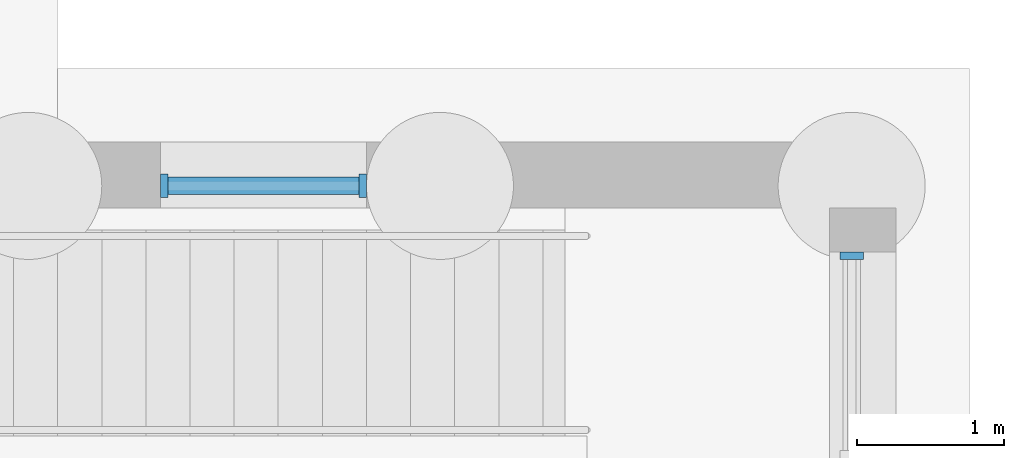
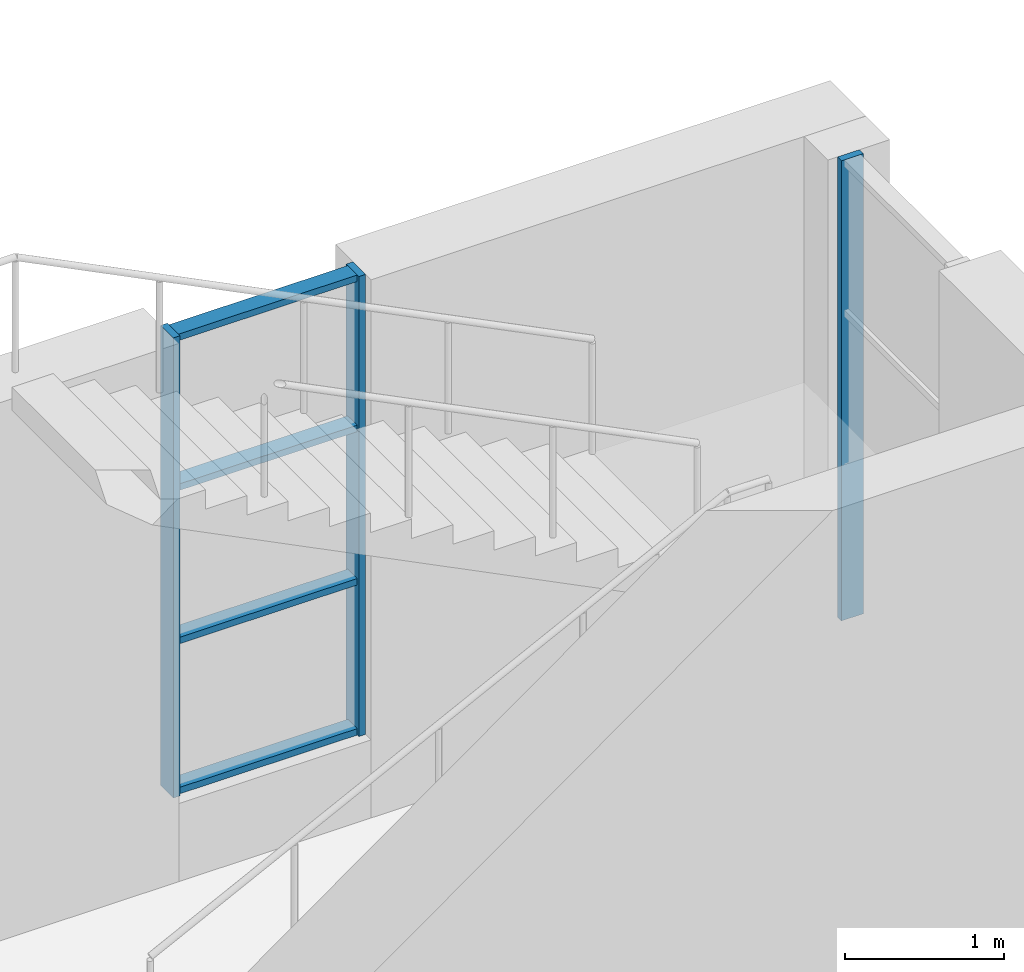
# One storey, part 59 of 138: 7 members, 2 elements without a shape of their own.
"""IFC4 building model written with IfcOpenShell, lengths in metres."""

from ifc_helpers import new_model, si_unit, direction, frame, origin, origin_2d, place, context, subcontext, project, spatial, rectangle, extrude, material, material_profile, profile_set, type_object, element, aggregate, save


model = new_model("IFC4")

# Units and contexts
model_context = context("Model", 3, precision=1e-05, world=origin(), true_north=direction((0.0, 1.0)))
body_context = subcontext(model_context, "Body", "Model", "MODEL_VIEW")
ifc_project = project(units=[si_unit("LENGTHUNIT", "METRE"), si_unit("AREAUNIT", "SQUARE_METRE"), si_unit("VOLUMEUNIT", "CUBIC_METRE"), si_unit("PLANEANGLEUNIT", "RADIAN"), si_unit("MASSUNIT", "GRAM", prefix="KILO")], contexts=[model_context])

# Site, building, storey
site_placement = place(None, origin())
site = spatial("IfcSite", under=ifc_project, at=site_placement, CompositionType="ELEMENT")
building_placement = place(site_placement, origin())
building = spatial("IfcBuilding", under=site, at=building_placement, Name="Yavir Park General Hospital", CompositionType="ELEMENT")
storey_placement = place(building_placement, origin())
storey = spatial("IfcBuildingStorey", under=building, at=storey_placement, Name="L00", CompositionType="ELEMENT", Elevation=0.0)

# Curtain wall, members
ifc_material_1 = material(Name="Aluminium curtain wall frame with insulated glazing", Category="aluminium")
curtain_wall_type = type_object("IfcCurtainWallType", Name="Stair light slot, ground floor, 3540 high, 1400 module", PredefinedType="NOTDEFINED", material=ifc_material_1)
curtain_wall_1_placement = place(storey_placement, origin())
curtain_wall_1 = element("IfcCurtainWall", 1, at=curtain_wall_1_placement, inside=storey, type_object=curtain_wall_type, Name="CW19 L00-034", PredefinedType="NOTDEFINED")
ifc_material_2 = material(Name="Aluminium", Category="aluminium")
ifc_material_profile_1 = material_profile(ifc_material_2, rectangle(XDim=0.159912109375, YDim=0.050048828125, at=origin_2d()), Name="AL 50x160")
ifc_profile_set_1 = profile_set([ifc_material_profile_1], Name="Aluminium")
member_type_1 = type_object("IfcMemberType", Name="Stair light slot, ground floor, 3540 high mullion 50 x 160", PredefinedType="MULLION", material=ifc_profile_set_1)
member_1_placement = place(storey_placement, frame((62.52490234375, 75.60009765625, 0.60009765625), z_axis=(0.0, 0.0, 1.0), x_axis=(0.0, 1.0, 0.0)))
member_1 = element("IfcMember", 2, at=member_1_placement, type_object=member_type_1, Name="CW19 mullion 1", PredefinedType="MULLION", context=body_context, shape_type="SweptSolid", body=[
    extrude(rectangle(XDim=0.159912109375, YDim=0.050048828125, at=origin_2d()), origin(), (0.0, 0.0, 1.0), 3.539794921875),
])
member_2_placement = place(storey_placement, frame((63.875, 75.60009765625, 0.60009765625), z_axis=(0.0, 0.0, 1.0), x_axis=(0.0, 1.0, 0.0)))
member_2 = element("IfcMember", 3, at=member_2_placement, type_object=member_type_1, Name="CW19 mullion 2", PredefinedType="MULLION", context=body_context, shape_type="SweptSolid", body=[
    extrude(rectangle(XDim=0.159912109375, YDim=0.050048828125, at=origin_2d()), origin(), (0.0, 0.0, 1.0), 3.539794921875),
])

# Curtain wall, member
curtain_wall_2_placement = place(storey_placement, origin())
curtain_wall_2 = element("IfcCurtainWall", 4, at=curtain_wall_2_placement, inside=storey, type_object=curtain_wall_type, Name="CW19 L00-047", PredefinedType="NOTDEFINED")
member_3_placement = place(storey_placement, frame((67.199951171875, 75.125, 0.60009765625), z_axis=(0.0, 0.0, 1.0), x_axis=(-1.0, 0.0, 0.0)))
member_3 = element("IfcMember", 5, at=member_3_placement, type_object=member_type_1, Name="CW19 mullion 2", PredefinedType="MULLION", context=body_context, shape_type="SweptSolid", body=[
    extrude(rectangle(XDim=0.159912109375, YDim=0.050048828125, at=origin_2d()), origin(), (0.0, 0.0, 1.0), 3.539794921875),
])
aggregate(curtain_wall_2, [member_3])

# Member
ifc_material_3 = material(Name="Aluminium", Category="aluminium")
ifc_material_profile_2 = material_profile(ifc_material_3, rectangle(XDim=0.1201171875, YDim=0.050048828125, at=origin_2d()), Name="AL 120x50")
ifc_profile_set_2 = profile_set([ifc_material_profile_2], Name="Aluminium")
member_type_2 = type_object("IfcMemberType", Name="Stair light slot, ground floor, 3540 high transom 50 x 120", PredefinedType="MULLION", material=ifc_profile_set_2)
member_4_placement = place(storey_placement, frame((62.550048828125, 75.60009765625, 0.625), z_axis=(1.0, 0.0, 0.0), x_axis=(0.0, 1.0, 0.0)))
member_4 = element("IfcMember", 6, at=member_4_placement, type_object=member_type_2, Name="CW19 transom 1.1", PredefinedType="MULLION", context=body_context, shape_type="SweptSolid", body=[
    extrude(rectangle(XDim=0.1201171875, YDim=0.050048828125, at=origin_2d()), origin(), (0.0, 0.0, 1.0), 1.300048828125),
])

member_5_placement = place(storey_placement, frame((62.550048828125, 75.60009765625, 1.780029296875), z_axis=(1.0, 0.0, 0.0), x_axis=(0.0, 1.0, 0.0)))
member_5 = element("IfcMember", 7, at=member_5_placement, type_object=member_type_2, Name="CW19 transom 1.2", PredefinedType="MULLION", context=body_context, shape_type="SweptSolid", body=[
    extrude(rectangle(XDim=0.1201171875, YDim=0.050048828125, at=origin_2d()), origin(), (0.0, 0.0, 1.0), 1.300048828125),
])

member_6_placement = place(storey_placement, frame((62.550048828125, 75.60009765625, 2.9599609375), z_axis=(1.0, 0.0, 0.0), x_axis=(0.0, 1.0, 0.0)))
member_6 = element("IfcMember", 8, at=member_6_placement, type_object=member_type_2, Name="CW19 transom 1.3", PredefinedType="MULLION", context=body_context, shape_type="SweptSolid", body=[
    extrude(rectangle(XDim=0.1201171875, YDim=0.050048828125, at=origin_2d()), origin(), (0.0, 0.0, 1.0), 1.300048828125),
])

member_7_placement = place(storey_placement, frame((62.550048828125, 75.60009765625, 4.114990234375), z_axis=(1.0, 0.0, 0.0), x_axis=(0.0, 1.0, 0.0)))
member_7 = element("IfcMember", 9, at=member_7_placement, type_object=member_type_2, Name="CW19 transom 1.4", PredefinedType="MULLION", context=body_context, shape_type="SweptSolid", body=[
    extrude(rectangle(XDim=0.1201171875, YDim=0.050048828125, at=origin_2d()), origin(), (0.0, 0.0, 1.0), 1.300048828125),
])

aggregate(curtain_wall_1, [member_1, member_2, member_4, member_5, member_6, member_7])

save(model, "model.ifc")
